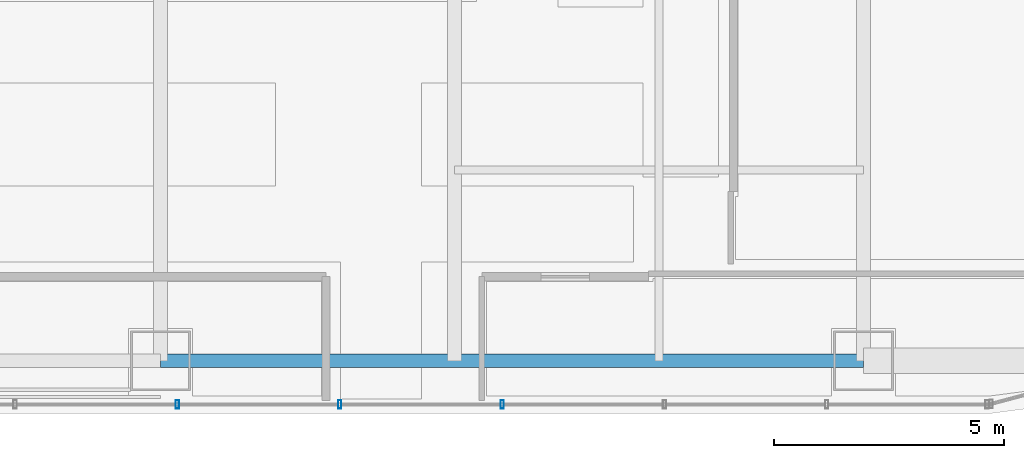
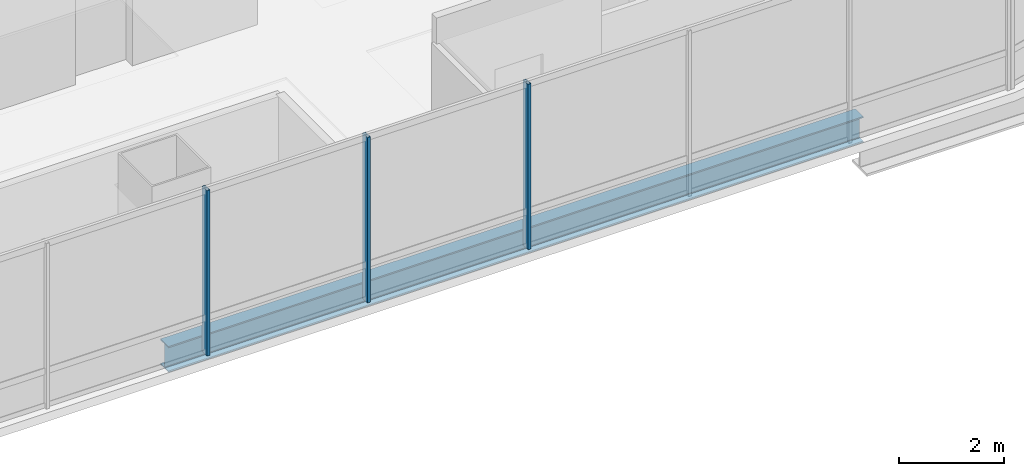
# One storey, part 8 of 40: 3 members, 1 beam, 1 element without a shape of its own.
"""IFC4 building model written with IfcOpenShell, lengths in metres."""

from ifc_helpers import new_model, si_unit, direction, frame, origin, origin_2d, place, context, subcontext, project, spatial, hollow_rectangle, i_section, extrude, material, material_profile, profile_set, type_object, element, aggregate, save


model = new_model("IFC4")

# Units and contexts
model_context = context("Model", 3, precision=1e-05, world=origin(), true_north=direction((0.0, 1.0)))
body_context = subcontext(model_context, "Body", "Model", "MODEL_VIEW")
ifc_project = project(units=[si_unit("LENGTHUNIT", "METRE"), si_unit("AREAUNIT", "SQUARE_METRE"), si_unit("VOLUMEUNIT", "CUBIC_METRE"), si_unit("PLANEANGLEUNIT", "RADIAN"), si_unit("MASSUNIT", "GRAM", prefix="KILO")], contexts=[model_context])

# Site, building, storey
site_placement = place(None, origin())
site = spatial("IfcSite", under=ifc_project, at=site_placement, CompositionType="ELEMENT")
building_placement = place(site_placement, origin())
building = spatial("IfcBuilding", under=site, at=building_placement, Name="Punatoya Terracotta Tower", CompositionType="ELEMENT")
storey_placement = place(building_placement, frame((0.0, 0.0, 271.64990234375)))
storey = spatial("IfcBuildingStorey", under=building, at=storey_placement, Name="L64", CompositionType="ELEMENT", Elevation=271.64990234375)

# Beam
ifc_material_1 = material(Name="Steel S355", Category="steel")
ifc_material_profile_1 = material_profile(ifc_material_1, i_section(OverallWidth=0.300048828125, OverallDepth=0.60009765625, WebThickness=0.015380859375, FlangeThickness=0.030029296875, FilletRadius=0.01806640625, at=origin_2d()))
ifc_profile_set_1 = profile_set([ifc_material_profile_1], Name="Steel S355")
beam_type = type_object("IfcBeamType", Name="BM-PRI-600", PredefinedType="BEAM", material=ifc_profile_set_1)
beam_placement = place(storey_placement, frame((3.800048828125, -17.5, -0.5), z_axis=(1.0, 0.0, 0.0), x_axis=(0.0, 1.0, 0.0)))
element("IfcBeam", 1, at=beam_placement, inside=storey, type_object=beam_type, Name="BM-L64-RG-S3", PredefinedType="BEAM", context=body_context, shape_type="SweptSolid", body=[
    extrude(i_section(OverallWidth=0.300048828125, OverallDepth=0.60009765625, WebThickness=0.015380859375, FlangeThickness=0.030029296875, FilletRadius=0.01806640625, at=origin_2d()), origin(), (0.0, 0.0, 1.0), 15.300048828125),
])

# Curtain wall, members
ifc_material_2 = material(Name="Aluminium 6063-T6 + Double Low-E Glass", Category="aluminium")
curtain_wall_type = type_object("IfcCurtainWallType", Name="CW-M3", PredefinedType="NOTDEFINED", material=ifc_material_2)
curtain_wall_placement = place(storey_placement, origin())
curtain_wall = element("IfcCurtainWall", 2, at=curtain_wall_placement, inside=storey, type_object=curtain_wall_type, Name="L64 Curtain Wall CW-L64-S01-1", PredefinedType="NOTDEFINED")
ifc_material_3 = material(Name="Aluminium 6063-T6", Category="aluminium")
ifc_material_profile_2 = material_profile(ifc_material_3, hollow_rectangle(XDim=0.070068359375, YDim=0.179931640625, WallThickness=0.00390625, at=origin_2d()))
ifc_profile_set_2 = profile_set([ifc_material_profile_2], Name="Aluminium 6063-T6")
member_type = type_object("IfcMemberType", Name="CW-MUL-M3", PredefinedType="MULLION", material=ifc_profile_set_2)
member_1_placement = place(storey_placement, frame((4.1669921875, -18.449951171875, 0.0), z_axis=(0.0, 0.0, 1.0), x_axis=(1.0, 0.0, 0.0)))
member_1 = element("IfcMember", 3, at=member_1_placement, type_object=member_type, Name="CW-L64-S01-1 Mullion 06", PredefinedType="MULLION", context=body_context, shape_type="SweptSolid", body=[
    extrude(hollow_rectangle(XDim=0.070068359375, YDim=0.179931640625, WallThickness=0.00390625, at=origin_2d()), origin(), (0.0, 0.0, 1.0), 3.85009765625),
])
member_2_placement = place(storey_placement, frame((7.700927734375, -18.449951171875, 0.0), z_axis=(0.0, 0.0, 1.0), x_axis=(1.0, 0.0, 0.0)))
member_2 = element("IfcMember", 4, at=member_2_placement, type_object=member_type, Name="CW-L64-S01-1 Mullion 07", PredefinedType="MULLION", context=body_context, shape_type="SweptSolid", body=[
    extrude(hollow_rectangle(XDim=0.070068359375, YDim=0.179931640625, WallThickness=0.00390625, at=origin_2d()), origin(), (0.0, 0.0, 1.0), 3.85009765625),
])
member_3_placement = place(storey_placement, frame((11.235107421875, -18.449951171875, 0.0), z_axis=(0.0, 0.0, 1.0), x_axis=(1.0, 0.0, 0.0)))
member_3 = element("IfcMember", 5, at=member_3_placement, type_object=member_type, Name="CW-L64-S01-1 Mullion 08", PredefinedType="MULLION", context=body_context, shape_type="SweptSolid", body=[
    extrude(hollow_rectangle(XDim=0.070068359375, YDim=0.179931640625, WallThickness=0.00390625, at=origin_2d()), origin(), (0.0, 0.0, 1.0), 3.85009765625),
])
aggregate(curtain_wall, [member_1, member_2, member_3])

save(model, "model.ifc")
